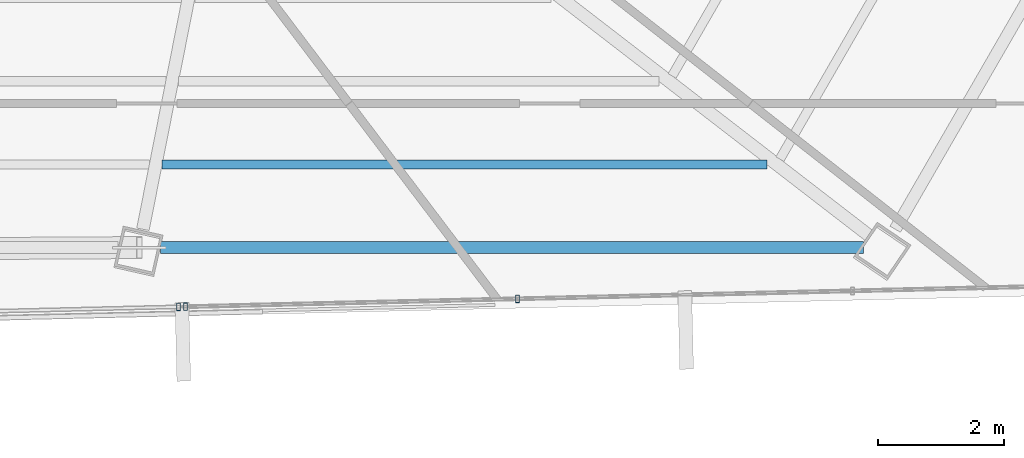
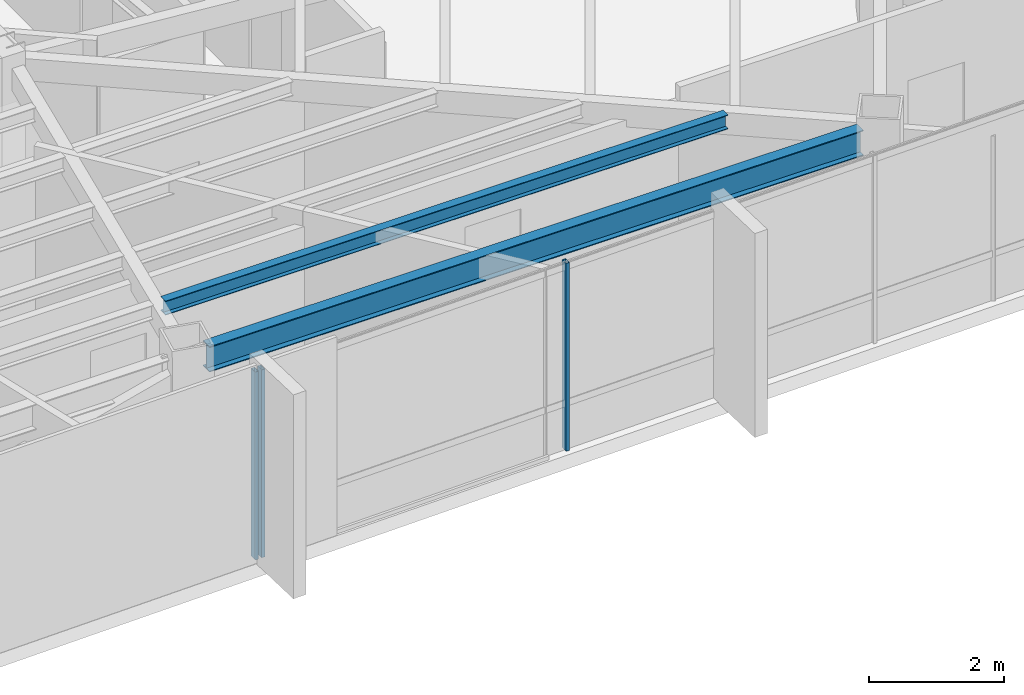
# One storey, part 19 of 44: 3 members, 2 beams, 2 elements without a shape of their own.
"""IFC4 building model written with IfcOpenShell, lengths in metres."""

from ifc_helpers import new_model, si_unit, direction, frame, origin, origin_2d, place, context, subcontext, project, spatial, hollow_rectangle, i_section, extrude, source, transform, mapped, material, material_profile, profile_set, type_object, type_shapes, element, aggregate, save


model = new_model("IFC4")

# Units and contexts
model_context = context("Model", 3, precision=1e-05, world=origin(), true_north=direction((0.0, 1.0)))
body_context = subcontext(model_context, "Body", "Model", "MODEL_VIEW")
ifc_project = project(units=[si_unit("LENGTHUNIT", "METRE"), si_unit("AREAUNIT", "SQUARE_METRE"), si_unit("VOLUMEUNIT", "CUBIC_METRE"), si_unit("PLANEANGLEUNIT", "RADIAN"), si_unit("MASSUNIT", "GRAM", prefix="KILO")], contexts=[model_context])

# Site, building, storey
site_placement = place(None, origin())
site = spatial("IfcSite", under=ifc_project, at=site_placement, CompositionType="ELEMENT")
building_placement = place(site_placement, origin())
building = spatial("IfcBuilding", under=site, at=building_placement, Name="Caelisora Broadcast Tower", CompositionType="ELEMENT")
storey_placement = place(building_placement, frame((0.0, 0.0, 259.050048828125)))
storey = spatial("IfcBuildingStorey", under=building, at=storey_placement, Name="L68", CompositionType="ELEMENT", Elevation=259.050048828125)

# Beams
ifc_material_1 = material(Name="Steel Grade 350 (AS/NZS 3679.1)", Category="steel")
ifc_material_profile_1 = material_profile(ifc_material_1, i_section(OverallWidth=0.19091796875, OverallDepth=0.46044921875, WebThickness=0.010009765625, FlangeThickness=0.01611328125, at=origin_2d()), Name="Steel Grade 350 (AS/NZS 3679.1)")
ifc_profile_set_1 = profile_set([ifc_material_profile_1], Name="Steel Grade 350 (AS/NZS 3679.1)")
beam_type_1 = type_object("IfcBeamType", Name="PG06", PredefinedType="BEAM", material=ifc_profile_set_1)
shared_shape_1 = source(origin(), body_context, "Body", "SweptSolid", [
    extrude(i_section(OverallWidth=0.19091796875, OverallDepth=0.46044921875, WebThickness=0.010009765625, FlangeThickness=0.01611328125, at=origin_2d()), origin(), (0.0, 0.0, 1.0), 11.189697265625),
])
type_shapes(beam_type_1, [shared_shape_1])
beam_1_placement = place(storey_placement, frame((44.27099609375, 9.456787109375, 3.169677734375), z_axis=(1.0, 0.0, 0.0), x_axis=(0.0, 1.0, 0.0)))
element("IfcBeam", 1, at=beam_1_placement, inside=storey, type_object=beam_type_1, Name="L68 beam PG06", PredefinedType="BEAM", context=body_context, shape_type="MappedRepresentation", body=[
    mapped(shared_shape_1, transform((0.0, 0.0, 0.0), scale=1.0)),
])
ifc_material_profile_2 = material_profile(ifc_material_1, i_section(OverallWidth=0.14599609375, OverallDepth=0.256103515625, WebThickness=0.00634765625, FlangeThickness=0.010986328125, at=origin_2d()), Name="Steel Grade 350 (AS/NZS 3679.1)")
ifc_profile_set_2 = profile_set([ifc_material_profile_2], Name="Steel Grade 350 (AS/NZS 3679.1)")
beam_type_2 = type_object("IfcBeamType", Name="SB04", PredefinedType="JOIST", material=ifc_profile_set_2)
shared_shape_2 = source(origin(), body_context, "Body", "SweptSolid", [
    extrude(i_section(OverallWidth=0.14599609375, OverallDepth=0.256103515625, WebThickness=0.00634765625, FlangeThickness=0.010986328125, at=origin_2d()), origin(), (0.0, 0.0, 1.0), 9.628662109375),
])
type_shapes(beam_type_2, [shared_shape_2])
beam_2_placement = place(storey_placement, frame((44.29296875, 10.780517578125, 3.27197265625), z_axis=(1.0, 0.0, 0.0), x_axis=(0.0, 1.0, 0.0)))
element("IfcBeam", 2, at=beam_2_placement, inside=storey, type_object=beam_type_2, Name="L68 beam SB04", PredefinedType="JOIST", context=body_context, shape_type="MappedRepresentation", body=[
    mapped(shared_shape_2, transform((0.0, 0.0, 0.0), scale=1.0)),
])

# Curtain wall, members
ifc_material_2 = material(Name="Unitised Aluminium and Low-E Glass Curtain Wall", Category="glass")
curtain_wall_type_1 = type_object("IfcCurtainWallType", Name="CW-Z5", PredefinedType="NOTDEFINED", material=ifc_material_2)
curtain_wall_1_placement = place(storey_placement, origin())
curtain_wall_1 = element("IfcCurtainWall", 3, at=curtain_wall_1_placement, inside=storey, type_object=curtain_wall_type_1, Name="L68 curtain wall CW-Z5", PredefinedType="NOTDEFINED")
ifc_material_3 = material(Name="Aluminium 6063-T6 Anodised Terracotta Bronze", Category="aluminium")
ifc_material_profile_3 = material_profile(ifc_material_3, hollow_rectangle(XDim=0.06005859375, YDim=0.1201171875, WallThickness=0.0029296875, at=origin_2d()), Name="Aluminium 6063-T6 Anodised Terracotta Bronze")
ifc_profile_set_3 = profile_set([ifc_material_profile_3], Name="Aluminium 6063-T6 Anodised Terracotta Bronze")
member_type = type_object("IfcMemberType", Name="CWM-04", PredefinedType="MULLION", material=ifc_profile_set_3)
shared_shape_3 = source(origin(), body_context, "Body", "SweptSolid", [
    extrude(hollow_rectangle(XDim=0.06005859375, YDim=0.1201171875, WallThickness=0.0029296875, at=origin_2d()), origin(), (0.0, 0.0, 1.0), 3.39990234375),
])
type_shapes(member_type, [shared_shape_3])
member_1_placement = place(storey_placement, frame((49.952880859375, 8.6416015625, 0.0), z_axis=(0.0, 0.0, 1.0), x_axis=(1.0, 0.0, 0.0)))
member_1 = element("IfcMember", 4, at=member_1_placement, type_object=member_type, Name="L68-CW-B05 mullion #2", PredefinedType="MULLION", context=body_context, shape_type="MappedRepresentation", body=[
    mapped(shared_shape_3, transform((0.0, 0.0, 0.0), scale=1.0)),
])
member_2_placement = place(storey_placement, frame((44.667236328125, 8.51611328125, 0.0), z_axis=(0.0, 0.0, 1.0), x_axis=(1.0, 0.0, 0.0)))
member_2 = element("IfcMember", 5, at=member_2_placement, type_object=member_type, Name="L68-CW-B05 mullion #3", PredefinedType="MULLION", context=body_context, shape_type="MappedRepresentation", body=[
    mapped(shared_shape_3, transform((0.0, 0.0, 0.0), scale=1.0)),
])
aggregate(curtain_wall_1, [member_1, member_2])

# Curtain wall, member
ifc_material_4 = material(Name="Unitised Aluminium Insulated Shadow-Box Spandrel Curtain Wall", Category="aluminium")
curtain_wall_type_2 = type_object("IfcCurtainWallType", Name="CW-SP3", PredefinedType="NOTDEFINED", material=ifc_material_4)
curtain_wall_2_placement = place(storey_placement, origin())
curtain_wall_2 = element("IfcCurtainWall", 6, at=curtain_wall_2_placement, inside=storey, type_object=curtain_wall_type_2, Name="L68 curtain wall CW-SP3", PredefinedType="NOTDEFINED")
member_3_placement = place(storey_placement, frame((44.557373046875, 8.513671875, 0.0), z_axis=(0.0, 0.0, 1.0), x_axis=(1.0, 0.0, 0.0)))
member_3 = element("IfcMember", 7, at=member_3_placement, type_object=member_type, Name="L68-CW-B06 mullion #0", PredefinedType="MULLION", context=body_context, shape_type="MappedRepresentation", body=[
    mapped(shared_shape_3, transform((0.0, 0.0, 0.0), scale=1.0)),
])
aggregate(curtain_wall_2, [member_3])

save(model, "model.ifc")
